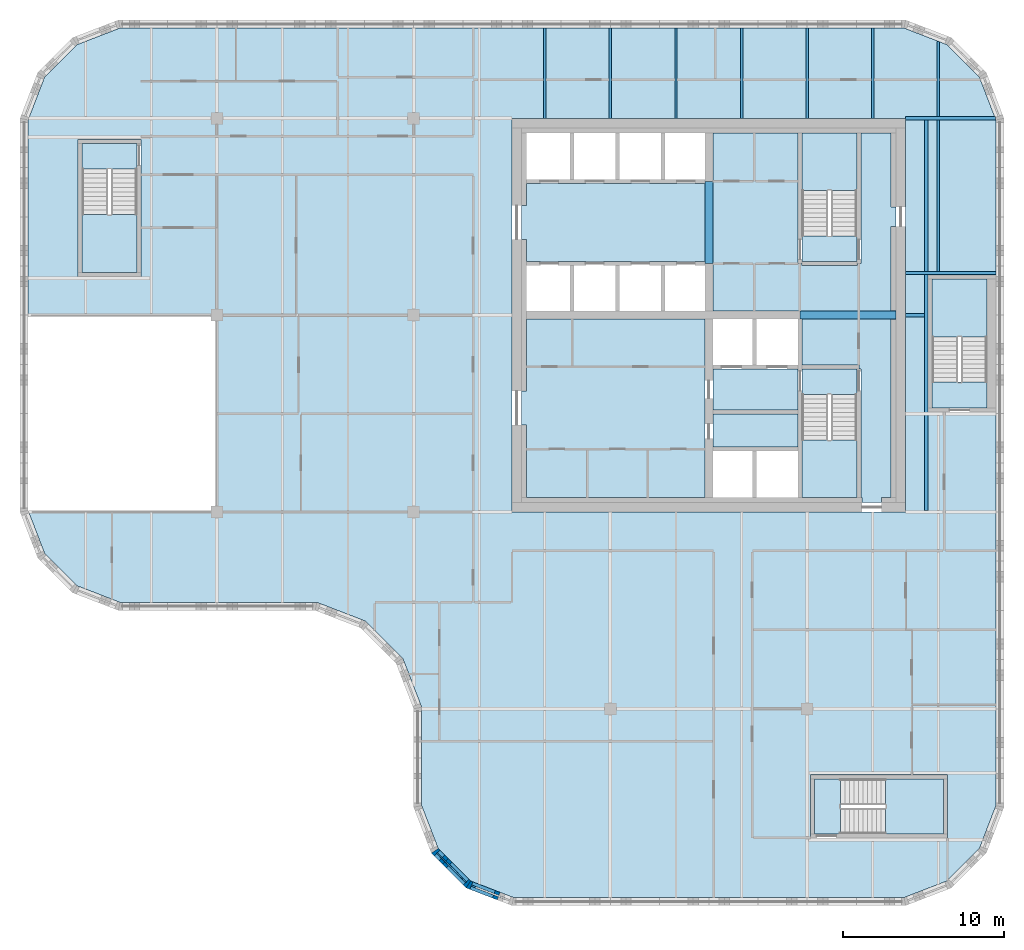
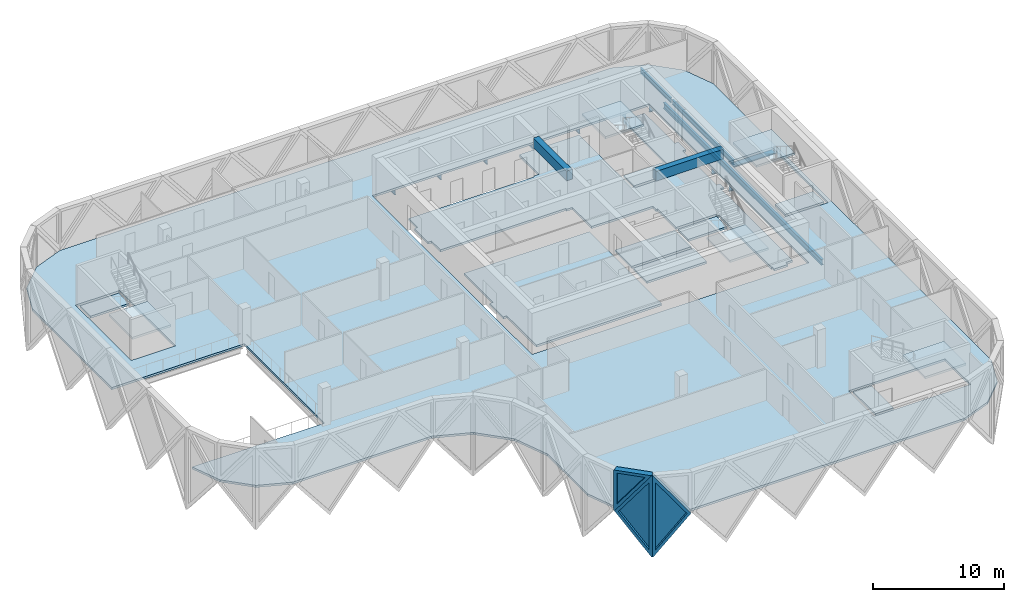
# One storey, part 2 of 15: 15 slabs, 14 beams, 3 plates, 3 walls, 3 openings, 5 elements without a shape of their own.
"""IFC4 building model written with IfcOpenShell, lengths in metres."""

from ifc_helpers import new_model, si_unit, direction, frame, origin, origin_2d, place, context, subcontext, project, spatial, polyline, rectangle, i_section, outline, extrude, faceted_brep, source, transform, mapped, material, layer, layer_set, material_profile, profile_set, type_object, element, fill, aggregate, save


model = new_model("IFC4")

# Units and contexts
model_context = context("Model", 3, precision=1e-05, world=origin(), true_north=direction((0.0, 1.0)))
body_context = subcontext(model_context, "Body", "Model", "MODEL_VIEW")
ifc_project = project(units=[si_unit("LENGTHUNIT", "METRE"), si_unit("AREAUNIT", "SQUARE_METRE"), si_unit("VOLUMEUNIT", "CUBIC_METRE"), si_unit("PLANEANGLEUNIT", "RADIAN"), si_unit("MASSUNIT", "GRAM", prefix="KILO")], contexts=[model_context])

# Site, building, storey
site_placement = place(None, origin())
site = spatial("IfcSite", under=ifc_project, at=site_placement, CompositionType="ELEMENT")
building_placement = place(site_placement, origin())
building = spatial("IfcBuilding", under=site, at=building_placement, Name="Tessera Gate Towers", CompositionType="ELEMENT")
storey_placement = place(building_placement, frame((0.0, 0.0, 189.60009765625)))
storey = spatial("IfcBuildingStorey", under=building, at=storey_placement, Name="L47", CompositionType="ELEMENT", Elevation=189.60009765625)

# Beams
ifc_material_1 = material(Name="Concrete C50/60", Category="concrete")
ifc_material_profile_1 = material_profile(ifc_material_1, rectangle(XDim=0.5, YDim=0.89990234375, at=origin_2d()), Name="RC 500x900")
ifc_profile_set_1 = profile_set([ifc_material_profile_1], Name="Concrete C50/60")
beam_type_1 = type_object("IfcBeamType", Name="COUPLING BEAM 500x900 C50/60", PredefinedType="BEAM", material=ifc_profile_set_1)
beam_1_placement = place(storey_placement, frame((48.35009765625, 36.60009765625, 3.099853515625), z_axis=(1.0, 0.0, 0.0), x_axis=(0.0, 1.0, 0.0)))
element("IfcBeam", 1, at=beam_1_placement, inside=storey, type_object=beam_type_1, Name="L47 coupling beam 1", PredefinedType="BEAM", context=body_context, shape_type="SweptSolid", body=[
    extrude(rectangle(XDim=0.5, YDim=0.89990234375, at=origin_2d()), origin(), (0.0, 0.0, 1.0), 5.949951171875),
])
beam_2_placement = place(storey_placement, frame((42.699951171875, 39.800048828125, 3.099853515625), z_axis=(0.0, 1.0, 0.0), x_axis=(-1.0, 0.0, 0.0)))
element("IfcBeam", 2, at=beam_2_placement, inside=storey, type_object=beam_type_1, Name="L47 coupling beam 2", PredefinedType="BEAM", context=body_context, shape_type="SweptSolid", body=[
    extrude(rectangle(XDim=0.5, YDim=0.89990234375, at=origin_2d()), origin(), (0.0, 0.0, 1.0), 5.099853515625),
])
ifc_material_2 = material(Name="Steel 350W", Category="steel")
ifc_material_profile_2 = material_profile(ifc_material_2, i_section(OverallWidth=0.208984375, OverallDepth=0.532958984375, WebThickness=0.01025390625, FlangeThickness=0.015625, at=origin_2d()), Name="W530x92")
ifc_profile_set_2 = profile_set([ifc_material_profile_2], Name="Steel 350W")
beam_type_2 = type_object("IfcBeamType", Name="FLOOR GIRDER W530x92", PredefinedType="BEAM", material=ifc_profile_set_2)
beam_3_placement = place(storey_placement, frame((54.89892578125, 36.60009765625, -0.466552734375), z_axis=(1.0, 0.0, 0.0), x_axis=(0.0, 1.0, 0.0)))
element("IfcBeam", 3, at=beam_3_placement, inside=storey, type_object=beam_type_2, Name="T1-GD-L47-5044", PredefinedType="BEAM", context=body_context, shape_type="SweptSolid", body=[
    extrude(i_section(OverallWidth=0.208984375, OverallDepth=0.532958984375, WebThickness=0.01025390625, FlangeThickness=0.015625, at=origin_2d()), origin(), (0.0, 0.0, 1.0), 1.176513671875),
])
beam_4_placement = place(storey_placement, frame((54.90087890625, 48.800048828125, -0.466552734375), z_axis=(1.0, 0.0, 0.0), x_axis=(0.0, 1.0, 0.0)))
element("IfcBeam", 4, at=beam_4_placement, inside=storey, type_object=beam_type_2, Name="T1-GD-L47-5048", PredefinedType="BEAM", context=body_context, shape_type="SweptSolid", body=[
    extrude(i_section(OverallWidth=0.208984375, OverallDepth=0.532958984375, WebThickness=0.01025390625, FlangeThickness=0.015625, at=origin_2d()), origin(), (0.0, 0.0, 1.0), 5.564208984375),
])
beam_5_placement = place(storey_placement, frame((54.89892578125, 39.219970703125, -0.466552734375), z_axis=(1.0, 0.0, 0.0), x_axis=(0.0, 1.0, 0.0)))
element("IfcBeam", 5, at=beam_5_placement, inside=storey, type_object=beam_type_2, Name="T1-GD-L47-5066", PredefinedType="BEAM", context=body_context, shape_type="SweptSolid", body=[
    extrude(i_section(OverallWidth=0.208984375, OverallDepth=0.532958984375, WebThickness=0.01025390625, FlangeThickness=0.015625, at=origin_2d()), origin(), (0.0, 0.0, 1.0), 5.60205078125),
])
beam_6_placement = place(storey_placement, frame((56.179931640625, 24.50439453125, -0.466552734375), z_axis=(0.0, 1.0, 0.0), x_axis=(-1.0, 0.0, 0.0)))
element("IfcBeam", 6, at=beam_6_placement, inside=storey, type_object=beam_type_2, Name="T1-GD-L47-5067", PredefinedType="BEAM", context=body_context, shape_type="SweptSolid", body=[
    extrude(i_section(OverallWidth=0.208984375, OverallDepth=0.532958984375, WebThickness=0.01025390625, FlangeThickness=0.015625, at=origin_2d()), origin(), (0.0, 0.0, 1.0), 24.191162109375),
])
ifc_material_3 = material(Name="Steel 350W", Category="steel")
ifc_material_profile_3 = material_profile(ifc_material_3, i_section(OverallWidth=0.153076171875, OverallDepth=0.455078125, WebThickness=0.008056640625, FlangeThickness=0.01318359375, at=origin_2d()), Name="W460x60")
ifc_profile_set_3 = profile_set([ifc_material_profile_3], Name="Steel 350W")
beam_type_3 = type_object("IfcBeamType", Name="FLOOR SECONDARY W460x60", PredefinedType="BEAM", material=ifc_profile_set_3)
for number, where, z_axis, x_axis, name in (
    (7, (32.533203125, 48.800048828125, -0.427490234375), (0.0, 1.0, 0.0), (-1.0, 0.0, 0.0), "T1-BM-L47-5089"),
    (8, (36.60009765625, 48.800048828125, -0.427490234375), (0.0, 1.0, 0.0), (-1.0, 0.0, 0.0), "T1-BM-L47-5090"),
    (9, (40.666748046875, 48.800048828125, -0.427490234375), (0.0, 1.0, 0.0), (-1.0, 0.0, 0.0), "T1-BM-L47-5093"),
    (10, (44.7333984375, 48.800048828125, -0.427490234375), (0.0, 1.0, 0.0), (-1.0, 0.0, 0.0), "T1-BM-L47-5096"),
    (11, (48.800048828125, 48.800048828125, -0.427490234375), (0.0, 1.0, 0.0), (-1.0, 0.0, 0.0), "T1-BM-L47-5097"),
    (12, (52.86669921875, 48.800048828125, -0.427490234375), (0.0, 1.0, 0.0), (-1.0, 0.0, 0.0), "T1-BM-L47-5101"),
):
    element("IfcBeam", number, at=place(storey_placement, frame(where, z_axis=z_axis, x_axis=x_axis)), inside=storey, type_object=beam_type_3, Name=name, PredefinedType="BEAM", context=body_context, shape_type="SweptSolid", body=[
        extrude(i_section(OverallWidth=0.153076171875, OverallDepth=0.455078125, WebThickness=0.008056640625, FlangeThickness=0.01318359375, at=origin_2d()), origin(), (0.0, 0.0, 1.0), 5.599853515625),
    ])
beam_7_placement = place(storey_placement, frame((56.933349609375, 39.324462890625, -0.427490234375), z_axis=(0.0, 1.0, 0.0), x_axis=(-1.0, 0.0, 0.0)))
element("IfcBeam", 13, at=beam_7_placement, inside=storey, type_object=beam_type_3, Name="T1-BM-L47-5106", PredefinedType="BEAM", context=body_context, shape_type="SweptSolid", body=[
    extrude(i_section(OverallWidth=0.153076171875, OverallDepth=0.455078125, WebThickness=0.008056640625, FlangeThickness=0.01318359375, at=origin_2d()), origin(), (0.0, 0.0, 1.0), 9.37109375),
])
beam_8_placement = place(storey_placement, frame((56.933349609375, 48.904541015625, -0.427490234375), z_axis=(0.0, 1.0, 0.0), x_axis=(-1.0, 0.0, 0.0)))
element("IfcBeam", 14, at=beam_8_placement, inside=storey, type_object=beam_type_3, Name="T1-BM-L47-5107", PredefinedType="BEAM", context=body_context, shape_type="SweptSolid", body=[
    extrude(i_section(OverallWidth=0.153076171875, OverallDepth=0.455078125, WebThickness=0.008056640625, FlangeThickness=0.01318359375, at=origin_2d()), origin(), (0.0, 0.0, 1.0), 4.675048828125),
])

# Slabs
ifc_material_4 = material(Name="Concrete C35/45", Category="concrete")
ifc_layer_1 = layer(ifc_material_4, 0.199951171875)
ifc_layer_set_1 = layer_set([ifc_layer_1], Name="COMPOSITE FLOOR 200")
slab_type_1 = type_object("IfcSlabType", Name="COMPOSITE FLOOR 200", PredefinedType="FLOOR", material=ifc_layer_set_1)
slab_1_placement = place(storey_placement, frame((0.0, 0.0, -0.2001953125)))
element("IfcSlab", 15, at=slab_1_placement, inside=storey, type_object=slab_type_1, Name="T1-L47", PredefinedType="FLOOR", context=body_context, shape_type="SweptSolid", body=[
    extrude(outline(polyline([(0.5, 36.60009765625), (12.199951171875, 36.60009765625), (12.199951171875, 24.39990234375), (0.535888671875, 24.39990234375), (1.526123046875, 21.8330078125), (3.533203125, 19.826171875), (6.193115234375, 18.800048828125), (18.39306640625, 18.800048828125), (21.42431640625, 17.630615234375), (23.730712890625, 15.32421875), (24.89990234375, 12.293212890625), (24.89990234375, 6.193115234375), (25.926025390625, 3.533203125), (27.93310546875, 1.526123046875), (30.593017578125, 0.5), (54.806884765625, 0.5), (57.466796875, 1.526123046875), (59.473876953125, 3.533203125), (60.5, 6.193115234375), (60.5, 48.706787109375), (59.473876953125, 51.366943359375), (57.466796875, 53.373779296875), (54.806884765625, 54.39990234375), (6.193115234375, 54.39990234375), (3.533203125, 53.373779296875), (1.526123046875, 51.366943359375), (0.5, 48.706787109375), (0.5, 36.60009765625)]), holes=[polyline([(3.60009765625, 39.0), (3.60009765625, 47.5), (7.5, 47.5), (7.5, 39.0), (3.60009765625, 39.0)]), polyline([(30.5, 24.39990234375), (30.5, 48.800048828125), (54.89990234375, 48.800048828125), (54.89990234375, 24.39990234375), (30.5, 24.39990234375)]), polyline([(49.0, 4.199951171875), (49.0, 8.10009765625), (57.5, 8.10009765625), (57.5, 4.199951171875), (49.0, 4.199951171875)]), polyline([(56.300048828125, 30.60009765625), (56.300048828125, 39.10009765625), (60.199951171875, 39.10009765625), (60.199951171875, 30.60009765625), (56.300048828125, 30.60009765625)])]), origin(), (0.0, 0.0, 1.0), 0.2001953125),
])
ifc_material_5 = material(Name="Concrete C35/45", Category="concrete")
ifc_layer_2 = layer(ifc_material_5, 0.199951171875)
ifc_layer_set_2 = layer_set([ifc_layer_2], Name="CORE FLOOR SLAB 200")
slab_type_2 = type_object("IfcSlabType", Name="CORE FLOOR SLAB 200", PredefinedType="FLOOR", material=ifc_layer_set_2)
slab_2_placement = place(storey_placement, frame((0.0, 0.0, -0.2001953125)))
element("IfcSlab", 16, at=slab_2_placement, inside=storey, type_object=slab_type_2, Name="L47 core floor slab", PredefinedType="FLOOR", context=body_context, shape_type="SweptSolid", body=[
    extrude(outline(polyline([(42.449951171875, 44.89990234375), (42.449951171875, 44.77490234375), (31.39990234375, 44.77490234375), (31.39990234375, 43.39990234375), (31.10009765625, 43.39990234375), (31.10009765625, 41.300048828125), (31.39990234375, 41.300048828125), (31.39990234375, 39.925048828125), (42.449951171875, 39.925048828125), (42.449951171875, 39.800048828125), (42.949951171875, 39.800048828125), (42.949951171875, 36.85009765625), (48.35009765625, 36.85009765625), (48.35009765625, 36.35009765625), (48.47509765625, 36.35009765625), (48.47509765625, 33.52490234375), (52.0, 33.52490234375), (52.0, 33.27490234375), (52.125, 33.27490234375), (52.125, 25.300048828125), (52.199951171875, 25.300048828125), (52.199951171875, 25.0), (53.39990234375, 25.0), (53.39990234375, 25.300048828125), (54.0, 25.300048828125), (54.0, 36.320068359375), (54.300048828125, 36.320068359375), (54.300048828125, 36.8798828125), (54.0, 36.8798828125), (54.0, 42.10009765625), (54.300048828125, 42.10009765625), (54.300048828125, 43.300048828125), (54.0, 43.300048828125), (54.0, 47.89990234375), (52.125, 47.89990234375), (52.125, 39.800048828125), (51.875, 39.800048828125), (51.875, 39.675048828125), (48.47509765625, 39.675048828125), (48.47509765625, 39.800048828125), (48.22509765625, 39.800048828125), (48.22509765625, 47.89990234375), (42.949951171875, 47.89990234375), (42.949951171875, 44.89990234375), (42.449951171875, 44.89990234375)])), origin(), (0.0, 0.0, 1.0), 0.2001953125),
])
slab_3_placement = place(storey_placement, frame((0.0, 0.0, -0.2001953125)))
element("IfcSlab", 17, at=slab_3_placement, inside=storey, type_object=slab_type_2, Name="L47 core floor slab", PredefinedType="FLOOR", context=body_context, shape_type="SweptSolid", body=[
    extrude(outline(polyline([(31.39990234375, 36.35009765625), (31.39990234375, 31.89990234375), (31.10009765625, 31.89990234375), (31.10009765625, 29.800048828125), (31.39990234375, 29.800048828125), (31.39990234375, 25.300048828125), (42.449951171875, 25.300048828125), (42.449951171875, 36.35009765625), (31.39990234375, 36.35009765625)])), origin(), (0.0, 0.0, 1.0), 0.2001953125),
])
slab_4_placement = place(storey_placement, frame((0.0, 0.0, -0.2001953125)))
element("IfcSlab", 18, at=slab_4_placement, inside=storey, type_object=slab_type_2, Name="L47 core floor slab", PredefinedType="FLOOR", context=body_context, shape_type="SweptSolid", body=[
    extrude(outline(polyline([(42.949951171875, 33.27490234375), (42.949951171875, 30.72509765625), (48.22509765625, 30.72509765625), (48.22509765625, 33.27490234375), (42.949951171875, 33.27490234375)])), origin(), (0.0, 0.0, 1.0), 0.2001953125),
])
slab_5_placement = place(storey_placement, frame((0.0, 0.0, -0.2001953125)))
element("IfcSlab", 19, at=slab_5_placement, inside=storey, type_object=slab_type_2, Name="L47 core floor slab", PredefinedType="FLOOR", context=body_context, shape_type="SweptSolid", body=[
    extrude(outline(polyline([(48.22509765625, 30.47509765625), (42.949951171875, 30.47509765625), (42.949951171875, 28.425048828125), (48.22509765625, 28.425048828125), (48.22509765625, 30.47509765625)])), origin(), (0.0, 0.0, 1.0), 0.2001953125),
])
slab_6_placement = place(storey_placement, frame((0.0, 0.0, -0.2001953125)))
element("IfcSlab", 20, at=slab_6_placement, inside=storey, type_object=slab_type_2, Name="L47 core floor slab", PredefinedType="FLOOR", context=body_context, shape_type="SweptSolid", body=[
    extrude(outline(polyline([(51.875, 31.675048828125), (51.875, 33.27490234375), (48.47509765625, 33.27490234375), (48.47509765625, 31.675048828125), (51.875, 31.675048828125)])), origin(), (0.0, 0.0, 1.0), 0.2001953125),
])
slab_7_placement = place(storey_placement, frame((0.0, 0.0, -0.2001953125)))
element("IfcSlab", 21, at=slab_7_placement, inside=storey, type_object=slab_type_2, Name="L47 core floor slab", PredefinedType="FLOOR", context=body_context, shape_type="SweptSolid", body=[
    extrude(outline(polyline([(48.47509765625, 41.52490234375), (48.47509765625, 39.925048828125), (51.875, 39.925048828125), (51.875, 41.52490234375), (48.47509765625, 41.52490234375)])), origin(), (0.0, 0.0, 1.0), 0.2001953125),
])
slab_8_placement = place(storey_placement, frame((0.0, 0.0, -0.2001953125)))
element("IfcSlab", 22, at=slab_8_placement, inside=storey, type_object=slab_type_2, Name="L47 ST3 floor landing", PredefinedType="FLOOR", context=body_context, shape_type="SweptSolid", body=[
    extrude(outline(polyline([(3.85009765625, 47.25), (3.85009765625, 45.64990234375), (7.25, 45.64990234375), (7.25, 47.25), (3.85009765625, 47.25)])), origin(), (0.0, 0.0, 1.0), 0.2001953125),
])
slab_9_placement = place(storey_placement, frame((0.0, 0.0, -0.2001953125)))
element("IfcSlab", 23, at=slab_9_placement, inside=storey, type_object=slab_type_2, Name="L47 ST4 floor landing", PredefinedType="FLOOR", context=body_context, shape_type="SweptSolid", body=[
    extrude(outline(polyline([(49.25, 4.449951171875), (50.85009765625, 4.449951171875), (50.85009765625, 7.85009765625), (49.25, 7.85009765625), (49.25, 4.449951171875)])), origin(), (0.0, 0.0, 1.0), 0.2001953125),
])
slab_10_placement = place(storey_placement, frame((0.0, 0.0, -0.2001953125)))
element("IfcSlab", 24, at=slab_10_placement, inside=storey, type_object=slab_type_2, Name="L47 ST5 floor landing", PredefinedType="FLOOR", context=body_context, shape_type="SweptSolid", body=[
    extrude(outline(polyline([(59.949951171875, 30.85009765625), (59.949951171875, 32.449951171875), (56.550048828125, 32.449951171875), (56.550048828125, 30.85009765625), (59.949951171875, 30.85009765625)])), origin(), (0.0, 0.0, 1.0), 0.2001953125),
])

# Stair, slab
ifc_material_6 = material(Name="Concrete C40/50", Category="concrete")
stair_type_1 = type_object("IfcStairType", Name="EXIT STAIR ST1 1600", PredefinedType="HALF_TURN_STAIR", material=ifc_material_6)
stair_1_placement = place(storey_placement, origin())
stair_1 = element("IfcStair", 25, at=stair_1_placement, inside=storey, type_object=stair_type_1, Name="L47 Protected Exit Stair ST1", PredefinedType="HALF_TURN_STAIR")
ifc_material_7 = material(Name="Concrete C40/50", Category="concrete")
ifc_layer_3 = layer(ifc_material_7, 0.199951171875)
ifc_layer_set_3 = layer_set([ifc_layer_3], Name="EXIT STAIR LANDING 200")
slab_type_3 = type_object("IfcSlabType", Name="EXIT STAIR LANDING 200", PredefinedType="LANDING", material=ifc_layer_set_3)
slab_11_placement = place(storey_placement, frame((0.0, 0.0, 1.699951171875)))
slab_11 = element("IfcSlab", 26, at=slab_11_placement, type_object=slab_type_3, Name="ST1 landing 1", PredefinedType="LANDING", context=body_context, shape_type="SweptSolid", body=[
    extrude(outline(polyline([(48.47509765625, 28.875), (48.47509765625, 25.300048828125), (51.875, 25.300048828125), (51.875, 28.875), (48.47509765625, 28.875)])), origin(), (0.0, 0.0, 1.0), 0.199951171875),
])
aggregate(stair_1, [slab_11])

ifc_material_8 = material(Name="Concrete C40/50", Category="concrete")
stair_type_2 = type_object("IfcStairType", Name="EXIT STAIR ST2 1600", PredefinedType="HALF_TURN_STAIR", material=ifc_material_8)
stair_2_placement = place(storey_placement, origin())
stair_2 = element("IfcStair", 27, at=stair_2_placement, inside=storey, type_object=stair_type_2, Name="L47 Protected Exit Stair ST2", PredefinedType="HALF_TURN_STAIR")
slab_12_placement = place(storey_placement, frame((0.0, 0.0, 1.699951171875)))
slab_12 = element("IfcSlab", 28, at=slab_12_placement, type_object=slab_type_3, Name="ST2 landing 1", PredefinedType="LANDING", context=body_context, shape_type="SweptSolid", body=[
    extrude(outline(polyline([(51.875, 44.324951171875), (51.875, 47.89990234375), (48.47509765625, 47.89990234375), (48.47509765625, 44.324951171875), (51.875, 44.324951171875)])), origin(), (0.0, 0.0, 1.0), 0.199951171875),
])
aggregate(stair_2, [slab_12])

ifc_material_9 = material(Name="Concrete C40/50", Category="concrete")
stair_type_3 = type_object("IfcStairType", Name="EXIT STAIR ST3 1600", PredefinedType="HALF_TURN_STAIR", material=ifc_material_9)
stair_3_placement = place(storey_placement, origin())
stair_3 = element("IfcStair", 29, at=stair_3_placement, inside=storey, type_object=stair_type_3, Name="L47 West Exit Stair ST3", PredefinedType="HALF_TURN_STAIR")
slab_13_placement = place(storey_placement, frame((0.0, 0.0, 1.699951171875)))
slab_13 = element("IfcSlab", 30, at=slab_13_placement, type_object=slab_type_3, Name="ST3 landing 1", PredefinedType="LANDING", context=body_context, shape_type="SweptSolid", body=[
    extrude(outline(polyline([(3.85009765625, 42.85009765625), (3.85009765625, 39.25), (7.25, 39.25), (7.25, 42.85009765625), (3.85009765625, 42.85009765625)])), origin(), (0.0, 0.0, 1.0), 0.199951171875),
])
aggregate(stair_3, [slab_13])

ifc_material_10 = material(Name="Concrete C40/50", Category="concrete")
stair_type_4 = type_object("IfcStairType", Name="EXIT STAIR ST4 1600", PredefinedType="HALF_TURN_STAIR", material=ifc_material_10)
stair_4_placement = place(storey_placement, origin())
stair_4 = element("IfcStair", 31, at=stair_4_placement, inside=storey, type_object=stair_type_4, Name="L47 South Exit Stair ST4", PredefinedType="HALF_TURN_STAIR")
slab_14_placement = place(storey_placement, frame((0.0, 0.0, 1.699951171875)))
slab_14 = element("IfcSlab", 32, at=slab_14_placement, type_object=slab_type_3, Name="ST4 landing 1", PredefinedType="LANDING", context=body_context, shape_type="SweptSolid", body=[
    extrude(outline(polyline([(53.64990234375, 4.449951171875), (57.25, 4.449951171875), (57.25, 7.85009765625), (53.64990234375, 7.85009765625), (53.64990234375, 4.449951171875)])), origin(), (0.0, 0.0, 1.0), 0.199951171875),
])
aggregate(stair_4, [slab_14])

ifc_material_11 = material(Name="Concrete C40/50", Category="concrete")
stair_type_5 = type_object("IfcStairType", Name="EXIT STAIR ST5 1600", PredefinedType="HALF_TURN_STAIR", material=ifc_material_11)
stair_5_placement = place(storey_placement, origin())
stair_5 = element("IfcStair", 33, at=stair_5_placement, inside=storey, type_object=stair_type_5, Name="L47 East Exit Stair ST5", PredefinedType="HALF_TURN_STAIR")
slab_15_placement = place(storey_placement, frame((0.0, 0.0, 1.699951171875)))
slab_15 = element("IfcSlab", 34, at=slab_15_placement, type_object=slab_type_3, Name="ST5 landing 1", PredefinedType="LANDING", context=body_context, shape_type="SweptSolid", body=[
    extrude(outline(polyline([(59.949951171875, 35.25), (59.949951171875, 38.85009765625), (56.550048828125, 38.85009765625), (56.550048828125, 35.25), (59.949951171875, 35.25)])), origin(), (0.0, 0.0, 1.0), 0.199951171875),
])
aggregate(stair_5, [slab_15])

# Wall, opening, plate
ifc_material_12 = material(Name="Precast concrete C60/75 white", Category="concrete")
ifc_layer_4 = layer(ifc_material_12, 0.5)
ifc_layer_set_4 = layer_set([ifc_layer_4], Name="TS3 corner tessera")
wall_type = type_object("IfcWallType", Name="TS3 corner tessera", PredefinedType="SOLIDWALL", material=ifc_layer_set_4)
shared_shape_1 = source(origin(), body_context, "Body", "Brep", [
    faceted_brep([(0.052978515625, -0.25, 0.0), (3.00341796875, -0.25, 3.800048828125), (0.052978515625, -0.25, 7.599853515625), (0.0, -0.25, 7.531494140625), (0.0, -0.25, 0.068359375), (0.10595703125, 0.25, 7.53173828125), (2.95703125, 0.25, 3.85986328125), (2.95703125, 0.25, 3.740234375), (0.10595703125, 0.25, 0.068115234375), (3.00341796875, 0.00048828125, 3.800048828125), (0.052978515625, 0.0, 0.0), (0.052978515625, 0.0, 7.599853515625)], [[[0, 1, 2, 3, 4]], [[5, 6, 7, 8]], [[8, 7, 9, 1, 0, 10]], [[6, 5, 11, 2, 1, 9]], [[3, 2, 11]], [[10, 0, 4]], [[8, 10, 4, 3, 11, 5]], [[7, 6, 9]]]),
])
wall_1_placement = place(storey_placement, frame((27.744384765625, 1.3310546875, -3.800048828125), z_axis=(0.0, 0.0, 1.0), x_axis=(0.932970071518, -0.359953949349, 0.0)))
wall_1 = element("IfcWall", 35, at=wall_1_placement, inside=storey, type_object=wall_type, Name="Precast corner tessera T1 TS3-1104", PredefinedType="SOLIDWALL", context=body_context, shape_type="MappedRepresentation", body=[
    mapped(shared_shape_1, transform((0.0, 0.0, 0.0), scale=1.0)),
])
shared_shape_2 = source(origin(), body_context, "Body", "SweptSolid", [
    extrude(outline(polyline([(0.2529296875, 0.665283203125), (2.68701171875, 3.800048828125), (0.2529296875, 6.934814453125), (0.2529296875, 0.665283203125)])), frame((0.0, 0.260009765625, 0.0), z_axis=(0.0, -1.0, 0.0), x_axis=(1.0, 0.0, 0.0)), (0.0, 0.0, 1.0), 0.52001953125),
])
opening_1_placement = place(wall_1_placement, origin())
opening_1 = element("IfcOpeningElement", 36, at=opening_1_placement, cuts=wall_1, Name="Opening T1-PL2-1738", PredefinedType="OPENING", context=body_context, shape_type="MappedRepresentation", body=[
    mapped(shared_shape_2, transform((0.0, 0.0, 0.0), scale=1.0)),
])
ifc_material_13 = material(Name="Low-e laminated glass", Category="glass")
ifc_layer_5 = layer(ifc_material_13, 0.06005859375)
ifc_layer_set_5 = layer_set([ifc_layer_5], Name="PL2 rhombic pane")
plate_type_1 = type_object("IfcPlateType", Name="PL2 rhombic pane", PredefinedType="SHEET", material=ifc_layer_set_5)
shared_shape_3 = source(origin(), body_context, "Body", "SweptSolid", [
    extrude(outline(polyline([(0.2529296875, 0.665283203125), (2.68701171875, 3.800048828125), (0.2529296875, 6.934814453125), (0.2529296875, 0.665283203125)])), frame((0.0, 0.030029296875, 0.0), z_axis=(0.0, -1.0, 0.0), x_axis=(1.0, 0.0, 0.0)), (0.0, 0.0, 1.0), 0.06005859375),
])
plate_1_placement = place(opening_1_placement, origin())
plate_1 = element("IfcPlate", 37, at=plate_1_placement, inside=storey, type_object=plate_type_1, Name="Glass pane T1 PL2-1738", PredefinedType="SHEET", context=body_context, shape_type="MappedRepresentation", body=[
    mapped(shared_shape_3, transform((0.0, 0.0, 0.0), scale=1.0)),
])
fill(opening_1, plate_1)

shared_shape_4 = source(origin(), body_context, "Body", "Brep", [
    faceted_brep([(2.944091796875, -0.25, 0.0), (2.9970703125, -0.25, 0.068115234375), (2.9970703125, -0.25, 7.53173828125), (2.944091796875, -0.25, 7.599853515625), (0.0, -0.25, 3.800048828125), (0.052978515625, 0.25, 3.868408203125), (2.89111328125, 0.25, 7.53173828125), (2.89111328125, 0.25, 0.068115234375), (0.052978515625, 0.25, 3.731689453125), (2.944091796875, 0.000244140625, 0.0), (2.944091796875, 0.000244140625, 7.599853515625), (0.0, 0.0, 3.800048828125)], [[[0, 1, 2, 3, 4]], [[5, 6, 7, 8]], [[1, 0, 9]], [[10, 3, 2]], [[6, 5, 11, 4, 3, 10]], [[8, 7, 9, 0, 4, 11]], [[8, 11, 5]], [[1, 9, 7, 6, 10, 2]]]),
])
wall_2_placement = place(storey_placement, frame((25.7119140625, 3.393798828125, -3.800048828125), z_axis=(0.0, 0.0, 1.0), x_axis=(0.707066050402, -0.707147509625, 0.0)))
wall_2 = element("IfcWall", 38, at=wall_2_placement, inside=storey, type_object=wall_type, Name="Precast corner tessera T1 TS3-1103", PredefinedType="SOLIDWALL", context=body_context, shape_type="MappedRepresentation", body=[
    mapped(shared_shape_4, transform((0.0, 0.0, 0.0), scale=1.0)),
])
shared_shape_5 = source(origin(), body_context, "Body", "SweptSolid", [
    extrude(outline(polyline([(2.744140625, 6.93359375), (0.316162109375, 3.800048828125), (2.744140625, 0.666259765625), (2.744140625, 6.93359375)])), frame((0.0, 0.260009765625, 0.0), z_axis=(0.0, -1.0, 0.0), x_axis=(1.0, 0.0, 0.0)), (0.0, 0.0, 1.0), 0.52001953125),
])
opening_2_placement = place(wall_2_placement, origin())
opening_2 = element("IfcOpeningElement", 39, at=opening_2_placement, cuts=wall_2, Name="Opening T1-PL2-1737", PredefinedType="OPENING", context=body_context, shape_type="MappedRepresentation", body=[
    mapped(shared_shape_5, transform((0.0, 0.0, 0.0), scale=1.0)),
])
shared_shape_6 = source(origin(), body_context, "Body", "SweptSolid", [
    extrude(outline(polyline([(2.744140625, 6.93359375), (0.316162109375, 3.800048828125), (2.744140625, 0.666259765625), (2.744140625, 6.93359375)])), frame((0.0, 0.030029296875, 0.0), z_axis=(0.0, -1.0, 0.0), x_axis=(1.0, 0.0, 0.0)), (0.0, 0.0, 1.0), 0.06005859375),
])
plate_2_placement = place(opening_2_placement, origin())
plate_2 = element("IfcPlate", 40, at=plate_2_placement, inside=storey, type_object=plate_type_1, Name="Glass pane T1 PL2-1737", PredefinedType="SHEET", context=body_context, shape_type="MappedRepresentation", body=[
    mapped(shared_shape_6, transform((0.0, 0.0, 0.0), scale=1.0)),
])
fill(opening_2, plate_2)

shared_shape_7 = source(origin(), body_context, "Body", "Brep", [
    faceted_brep([(0.052978515625, -0.25, 0.0), (2.9970703125, -0.25, 3.7998046875), (0.0, -0.25, 3.7998046875), (0.0, -0.25, 0.068115234375), (0.10595703125, 0.25, 3.7998046875), (2.944091796875, 0.25, 3.7998046875), (2.944091796875, 0.25, 3.731689453125), (0.10595703125, 0.25, 0.068359375), (2.9970703125, 0.000244140625, 3.7998046875), (0.052978515625, 0.0, 0.0)], [[[0, 1, 2, 3]], [[4, 5, 6, 7]], [[7, 6, 8, 1, 0, 9]], [[5, 4, 2, 1, 8]], [[9, 0, 3]], [[7, 9, 3, 2, 4]], [[6, 5, 8]]]),
])
wall_3_placement = place(storey_placement, frame((25.674560546875, 3.43115234375, 0.0), z_axis=(0.0, 0.0, 1.0), x_axis=(0.707106781187, -0.707106781187, 0.0)))
wall_3 = element("IfcWall", 41, at=wall_3_placement, inside=storey, type_object=wall_type, Name="Precast corner tessera T1 TS3-1128", PredefinedType="SOLIDWALL", context=body_context, shape_type="MappedRepresentation", body=[
    mapped(shared_shape_7, transform((0.0, 0.0, 0.0), scale=1.0)),
])
shared_shape_8 = source(origin(), body_context, "Body", "SweptSolid", [
    extrude(outline(polyline([(0.2529296875, 0.666259765625), (2.487060546875, 3.5498046875), (0.2529296875, 3.5498046875), (0.2529296875, 0.666259765625)])), frame((0.0, 0.260009765625, 0.0), z_axis=(0.0, -1.0, 0.0), x_axis=(1.0, 0.0, 0.0)), (0.0, 0.0, 1.0), 0.52001953125),
])
opening_3_placement = place(wall_3_placement, origin())
opening_3 = element("IfcOpeningElement", 42, at=opening_3_placement, cuts=wall_3, Name="Opening T1-PL1-0469", PredefinedType="OPENING", context=body_context, shape_type="MappedRepresentation", body=[
    mapped(shared_shape_8, transform((0.0, 0.0, 0.0), scale=1.0)),
])
ifc_material_14 = material(Name="Low-e laminated glass", Category="glass")
ifc_layer_6 = layer(ifc_material_14, 0.06005859375)
ifc_layer_set_6 = layer_set([ifc_layer_6], Name="PL1 triangular pane")
plate_type_2 = type_object("IfcPlateType", Name="PL1 triangular pane", PredefinedType="SHEET", material=ifc_layer_set_6)
shared_shape_9 = source(origin(), body_context, "Body", "SweptSolid", [
    extrude(outline(polyline([(0.2529296875, 0.666259765625), (2.487060546875, 3.5498046875), (0.2529296875, 3.5498046875), (0.2529296875, 0.666259765625)])), frame((0.0, 0.030029296875, 0.0), z_axis=(0.0, -1.0, 0.0), x_axis=(1.0, 0.0, 0.0)), (0.0, 0.0, 1.0), 0.06005859375),
])
plate_3_placement = place(opening_3_placement, origin())
plate_3 = element("IfcPlate", 43, at=plate_3_placement, inside=storey, type_object=plate_type_2, Name="Glass pane T1 PL1-0469", PredefinedType="SHEET", context=body_context, shape_type="MappedRepresentation", body=[
    mapped(shared_shape_9, transform((0.0, 0.0, 0.0), scale=1.0)),
])
fill(opening_3, plate_3)

save(model, "model.ifc")
